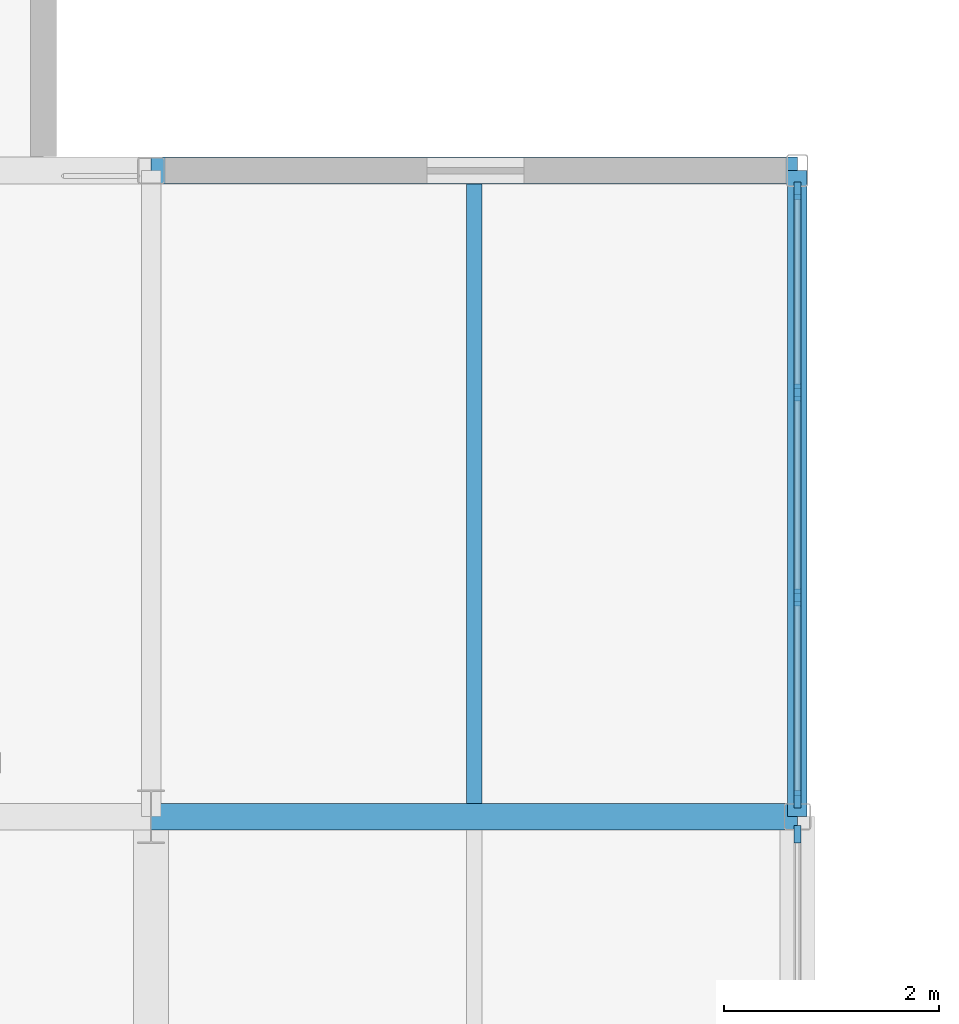
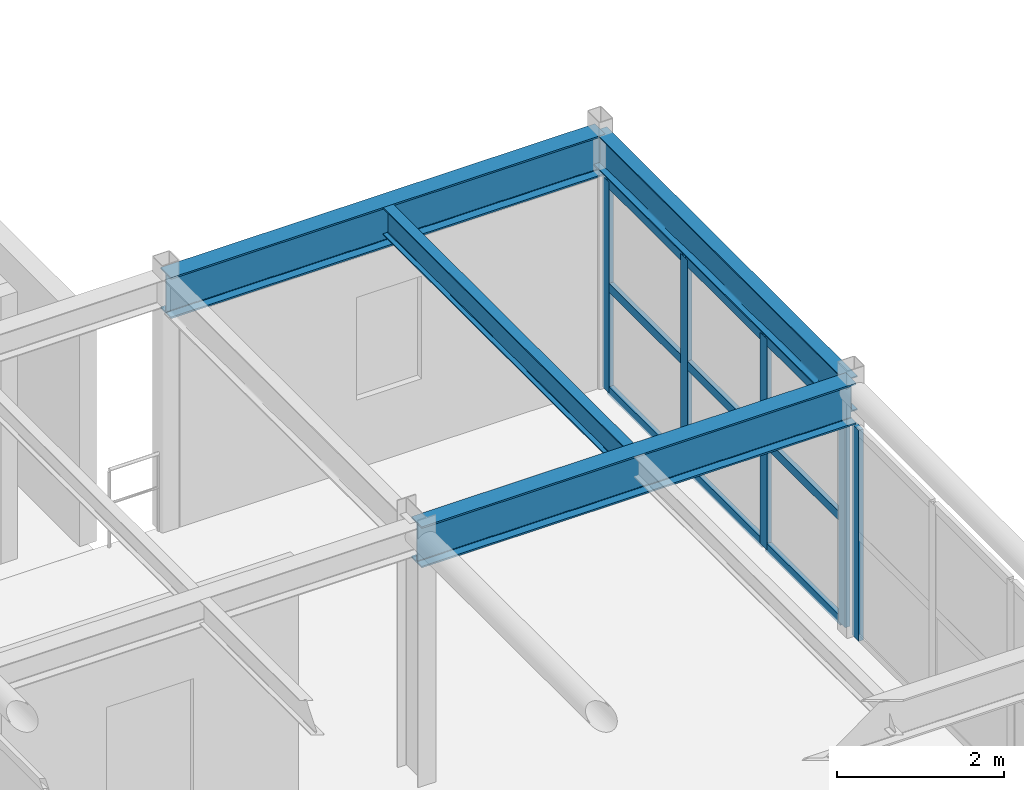
# One storey, part 15 of 63: 14 members, 4 beams, 2 elements without a shape of their own.
"""IFC4 building model written with IfcOpenShell, lengths in metres."""

from ifc_helpers import new_model, si_unit, direction, frame, origin, origin_2d, place, context, subcontext, project, spatial, rectangle, i_section, extrude, material, material_profile, profile_set, type_object, element, aggregate, save


model = new_model("IFC4")

# Units and contexts
model_context = context("Model", 3, precision=1e-05, world=origin(), true_north=direction((0.0, 1.0)))
body_context = subcontext(model_context, "Body", "Model", "MODEL_VIEW")
ifc_project = project(units=[si_unit("LENGTHUNIT", "METRE"), si_unit("AREAUNIT", "SQUARE_METRE"), si_unit("VOLUMEUNIT", "CUBIC_METRE"), si_unit("PLANEANGLEUNIT", "RADIAN"), si_unit("MASSUNIT", "GRAM", prefix="KILO")], contexts=[model_context])

# Site, building, storey
site_placement = place(None, origin())
site = spatial("IfcSite", under=ifc_project, at=site_placement, CompositionType="ELEMENT")
building_placement = place(site_placement, origin())
building = spatial("IfcBuilding", under=site, at=building_placement, Name="Varnakota Square Police Headquarters", CompositionType="ELEMENT")
storey_placement = place(building_placement, frame((0.0, 0.0, 22.199951171875)))
storey = spatial("IfcBuildingStorey", under=building, at=storey_placement, Name="L05", CompositionType="ELEMENT", Elevation=22.199951171875)

# Beams
ifc_material_1 = material(Name="Steel IS 2062 Grade 350", Category="steel")
ifc_material_profile_1 = material_profile(ifc_material_1, i_section(OverallWidth=0.139892578125, OverallDepth=0.39990234375, WebThickness=0.0087890625, FlangeThickness=0.01611328125, FilletRadius=0.013916015625, at=origin_2d()), Name="ISMB 400")
ifc_profile_set_1 = profile_set([ifc_material_profile_1], Name="Steel IS 2062 Grade 350")
beam_type_1 = type_object("IfcBeamType", Name="BM-ISMB400", PredefinedType="JOIST", material=ifc_profile_set_1)
beam_1_placement = place(storey_placement, frame((39.0, 57.123046875, 3.489990234375), z_axis=(0.0, 1.0, 0.0), x_axis=(-1.0, 0.0, 0.0)))
element("IfcBeam", 1, at=beam_1_placement, inside=storey, type_object=beam_type_1, Name="BMG-L05-3278", PredefinedType="JOIST", context=body_context, shape_type="SweptSolid", body=[
    extrude(i_section(OverallWidth=0.139892578125, OverallDepth=0.39990234375, WebThickness=0.0087890625, FlangeThickness=0.01611328125, FilletRadius=0.013916015625, at=origin_2d()), origin(), (0.0, 0.0, 1.0), 5.75390625),
])
ifc_material_profile_2 = material_profile(ifc_material_1, i_section(OverallWidth=0.179931640625, OverallDepth=0.5, WebThickness=0.01025390625, FlangeThickness=0.01708984375, FilletRadius=0.01708984375, at=origin_2d()), Name="ISMB 500")
ifc_profile_set_2 = profile_set([ifc_material_profile_2], Name="Steel IS 2062 Grade 350")
beam_type_2 = type_object("IfcBeamType", Name="BM-ISMB500", PredefinedType="BEAM", material=ifc_profile_set_2)
beam_2_placement = place(storey_placement, frame((42.0, 57.0, 3.43994140625), z_axis=(0.0, 1.0, 0.0), x_axis=(-1.0, 0.0, 0.0)))
element("IfcBeam", 2, at=beam_2_placement, inside=storey, type_object=beam_type_2, Name="BMG-L05-3205", PredefinedType="BEAM", context=body_context, shape_type="SweptSolid", body=[
    extrude(i_section(OverallWidth=0.179931640625, OverallDepth=0.5, WebThickness=0.01025390625, FlangeThickness=0.01708984375, FilletRadius=0.01708984375, at=origin_2d()), origin(), (0.0, 0.0, 1.0), 6.0),
])
ifc_material_profile_3 = material_profile(ifc_material_1, i_section(OverallWidth=0.25, OverallDepth=0.60009765625, WebThickness=0.01171875, FlangeThickness=0.023681640625, FilletRadius=0.01708984375, at=origin_2d()), Name="ISWB 600")
ifc_profile_set_3 = profile_set([ifc_material_profile_3], Name="Steel IS 2062 Grade 350")
beam_type_3 = type_object("IfcBeamType", Name="BM-ISWB600", PredefinedType="BEAM", material=ifc_profile_set_3)
for number, where, z_axis, x_axis, name in (
    (3, (36.0, 57.0, 3.39013671875), (1.0, 0.0, 0.0), (0.0, 1.0, 0.0), "BMG-L05-3153"),
    (4, (36.0, 63.0, 3.39013671875), (1.0, 0.0, 0.0), (0.0, 1.0, 0.0), "BMG-L05-3159"),
):
    element("IfcBeam", number, at=place(storey_placement, frame(where, z_axis=z_axis, x_axis=x_axis)), inside=storey, type_object=beam_type_3, Name=name, PredefinedType="BEAM", context=body_context, shape_type="SweptSolid", body=[
        extrude(i_section(OverallWidth=0.25, OverallDepth=0.60009765625, WebThickness=0.01171875, FlangeThickness=0.023681640625, FilletRadius=0.01708984375, at=origin_2d()), origin(), (0.0, 0.0, 1.0), 6.0),
    ])

# Curtain wall, member
ifc_material_2 = material(Name="Anodised Aluminium Framing", Category="aluminium")
curtain_wall_type = type_object("IfcCurtainWallType", Name="CW-SYS-D", PredefinedType="NOTDEFINED", material=ifc_material_2)
curtain_wall_1_placement = place(storey_placement, origin())
curtain_wall_1 = element("IfcCurtainWall", 5, at=curtain_wall_1_placement, inside=storey, type_object=curtain_wall_type, Name="Unitised curtain wall CWG-L05-196", PredefinedType="NOTDEFINED")
ifc_material_3 = material(Name="Anodised Aluminium 6063-T6", Category="aluminium")
ifc_material_profile_4 = material_profile(ifc_material_3, rectangle(XDim=0.06494140625, YDim=0.159912109375, at=origin_2d()), Name="ALU MULLION 65x160")
ifc_profile_set_4 = profile_set([ifc_material_profile_4], Name="Anodised Aluminium 6063-T6")
member_type_1 = type_object("IfcMemberType", Name="CWM-150", PredefinedType="MULLION", material=ifc_profile_set_4)
member_1_placement = place(storey_placement, frame((42.0, 56.83740234375, 0.0), z_axis=(0.0, 0.0, 1.0), x_axis=(-1.0, 0.0, 0.0)))
member_1 = element("IfcMember", 6, at=member_1_placement, type_object=member_type_1, Name="CWG-L05-196 mullion 4", PredefinedType="MULLION", context=body_context, shape_type="SweptSolid", body=[
    extrude(rectangle(XDim=0.06494140625, YDim=0.159912109375, at=origin_2d()), origin(), (0.0, 0.0, 1.0), 3.080078125),
])
aggregate(curtain_wall_1, [member_1])

# Curtain wall, members
curtain_wall_2_placement = place(storey_placement, origin())
curtain_wall_2 = element("IfcCurtainWall", 7, at=curtain_wall_2_placement, inside=storey, type_object=curtain_wall_type, Name="Unitised curtain wall CWG-L05-197", PredefinedType="NOTDEFINED")
member_2_placement = place(storey_placement, frame((42.0, 57.16259765625, 0.0), z_axis=(0.0, 0.0, 1.0), x_axis=(-1.0, 0.0, 0.0)))
member_2 = element("IfcMember", 8, at=member_2_placement, type_object=member_type_1, Name="CWG-L05-197 mullion 1", PredefinedType="MULLION", context=body_context, shape_type="SweptSolid", body=[
    extrude(rectangle(XDim=0.06494140625, YDim=0.159912109375, at=origin_2d()), origin(), (0.0, 0.0, 1.0), 3.080078125),
])
member_3_placement = place(storey_placement, frame((42.0, 59.034912109375, 0.0), z_axis=(0.0, 0.0, 1.0), x_axis=(-1.0, 0.0, 0.0)))
member_3 = element("IfcMember", 9, at=member_3_placement, type_object=member_type_1, Name="CWG-L05-197 mullion 2", PredefinedType="MULLION", context=body_context, shape_type="SweptSolid", body=[
    extrude(rectangle(XDim=0.06494140625, YDim=0.159912109375, at=origin_2d()), origin(), (0.0, 0.0, 1.0), 3.080078125),
])
member_4_placement = place(storey_placement, frame((42.0, 60.93994140625, 0.0), z_axis=(0.0, 0.0, 1.0), x_axis=(-1.0, 0.0, 0.0)))
member_4 = element("IfcMember", 10, at=member_4_placement, type_object=member_type_1, Name="CWG-L05-197 mullion 3", PredefinedType="MULLION", context=body_context, shape_type="SweptSolid", body=[
    extrude(rectangle(XDim=0.06494140625, YDim=0.159912109375, at=origin_2d()), origin(), (0.0, 0.0, 1.0), 3.080078125),
])
member_5_placement = place(storey_placement, frame((42.0, 62.8125, 0.0), z_axis=(0.0, 0.0, 1.0), x_axis=(-1.0, 0.0, 0.0)))
member_5 = element("IfcMember", 11, at=member_5_placement, type_object=member_type_1, Name="CWG-L05-197 mullion 4", PredefinedType="MULLION", context=body_context, shape_type="SweptSolid", body=[
    extrude(rectangle(XDim=0.06494140625, YDim=0.159912109375, at=origin_2d()), origin(), (0.0, 0.0, 1.0), 3.080078125),
])
ifc_material_profile_5 = material_profile(ifc_material_3, rectangle(XDim=0.06494140625, YDim=0.1298828125, at=origin_2d()), Name="ALU TRANSOM 65x130")
ifc_profile_set_5 = profile_set([ifc_material_profile_5], Name="Anodised Aluminium 6063-T6")
member_type_2 = type_object("IfcMemberType", Name="CWT-120", PredefinedType="USERDEFINED", material=ifc_profile_set_5)
member_6_placement = place(storey_placement, frame((42.0, 57.195068359375, 0.032470703125), z_axis=(0.0, 1.0, 0.0), x_axis=(-1.0, 0.0, 0.0)))
member_6 = element("IfcMember", 12, at=member_6_placement, type_object=member_type_2, Name="CWG-L05-197 transom 1.1", ObjectType="TRANSOM", PredefinedType="USERDEFINED", context=body_context, shape_type="SweptSolid", body=[
    extrude(rectangle(XDim=0.06494140625, YDim=0.1298828125, at=origin_2d()), origin(), (0.0, 0.0, 1.0), 1.807373046875),
])
member_7_placement = place(storey_placement, frame((42.0, 57.195068359375, 1.5400390625), z_axis=(0.0, 1.0, 0.0), x_axis=(-1.0, 0.0, 0.0)))
member_7 = element("IfcMember", 13, at=member_7_placement, type_object=member_type_2, Name="CWG-L05-197 transom 1.2", ObjectType="TRANSOM", PredefinedType="USERDEFINED", context=body_context, shape_type="SweptSolid", body=[
    extrude(rectangle(XDim=0.06494140625, YDim=0.1298828125, at=origin_2d()), origin(), (0.0, 0.0, 1.0), 1.807373046875),
])
member_8_placement = place(storey_placement, frame((42.0, 57.195068359375, 3.047607421875), z_axis=(0.0, 1.0, 0.0), x_axis=(-1.0, 0.0, 0.0)))
member_8 = element("IfcMember", 14, at=member_8_placement, type_object=member_type_2, Name="CWG-L05-197 transom 1.3", ObjectType="TRANSOM", PredefinedType="USERDEFINED", context=body_context, shape_type="SweptSolid", body=[
    extrude(rectangle(XDim=0.06494140625, YDim=0.1298828125, at=origin_2d()), origin(), (0.0, 0.0, 1.0), 1.807373046875),
])
member_9_placement = place(storey_placement, frame((42.0, 59.0673828125, 0.032470703125), z_axis=(0.0, 1.0, 0.0), x_axis=(-1.0, 0.0, 0.0)))
member_9 = element("IfcMember", 15, at=member_9_placement, type_object=member_type_2, Name="CWG-L05-197 transom 2.1", ObjectType="TRANSOM", PredefinedType="USERDEFINED", context=body_context, shape_type="SweptSolid", body=[
    extrude(rectangle(XDim=0.06494140625, YDim=0.1298828125, at=origin_2d()), origin(), (0.0, 0.0, 1.0), 1.840087890625),
])
member_10_placement = place(storey_placement, frame((42.0, 59.0673828125, 1.5400390625), z_axis=(0.0, 1.0, 0.0), x_axis=(-1.0, 0.0, 0.0)))
member_10 = element("IfcMember", 16, at=member_10_placement, type_object=member_type_2, Name="CWG-L05-197 transom 2.2", ObjectType="TRANSOM", PredefinedType="USERDEFINED", context=body_context, shape_type="SweptSolid", body=[
    extrude(rectangle(XDim=0.06494140625, YDim=0.1298828125, at=origin_2d()), origin(), (0.0, 0.0, 1.0), 1.840087890625),
])
member_11_placement = place(storey_placement, frame((42.0, 59.0673828125, 3.047607421875), z_axis=(0.0, 1.0, 0.0), x_axis=(-1.0, 0.0, 0.0)))
member_11 = element("IfcMember", 17, at=member_11_placement, type_object=member_type_2, Name="CWG-L05-197 transom 2.3", ObjectType="TRANSOM", PredefinedType="USERDEFINED", context=body_context, shape_type="SweptSolid", body=[
    extrude(rectangle(XDim=0.06494140625, YDim=0.1298828125, at=origin_2d()), origin(), (0.0, 0.0, 1.0), 1.840087890625),
])
member_12_placement = place(storey_placement, frame((42.0, 60.972412109375, 0.032470703125), z_axis=(0.0, 1.0, 0.0), x_axis=(-1.0, 0.0, 0.0)))
member_12 = element("IfcMember", 18, at=member_12_placement, type_object=member_type_2, Name="CWG-L05-197 transom 3.1", ObjectType="TRANSOM", PredefinedType="USERDEFINED", context=body_context, shape_type="SweptSolid", body=[
    extrude(rectangle(XDim=0.06494140625, YDim=0.1298828125, at=origin_2d()), origin(), (0.0, 0.0, 1.0), 1.8076171875),
])
member_13_placement = place(storey_placement, frame((42.0, 60.972412109375, 1.5400390625), z_axis=(0.0, 1.0, 0.0), x_axis=(-1.0, 0.0, 0.0)))
member_13 = element("IfcMember", 19, at=member_13_placement, type_object=member_type_2, Name="CWG-L05-197 transom 3.2", ObjectType="TRANSOM", PredefinedType="USERDEFINED", context=body_context, shape_type="SweptSolid", body=[
    extrude(rectangle(XDim=0.06494140625, YDim=0.1298828125, at=origin_2d()), origin(), (0.0, 0.0, 1.0), 1.8076171875),
])
member_14_placement = place(storey_placement, frame((42.0, 60.972412109375, 3.047607421875), z_axis=(0.0, 1.0, 0.0), x_axis=(-1.0, 0.0, 0.0)))
member_14 = element("IfcMember", 20, at=member_14_placement, type_object=member_type_2, Name="CWG-L05-197 transom 3.3", ObjectType="TRANSOM", PredefinedType="USERDEFINED", context=body_context, shape_type="SweptSolid", body=[
    extrude(rectangle(XDim=0.06494140625, YDim=0.1298828125, at=origin_2d()), origin(), (0.0, 0.0, 1.0), 1.8076171875),
])
aggregate(curtain_wall_2, [member_2, member_3, member_4, member_5, member_6, member_7, member_8, member_9, member_10, member_11, member_12, member_13, member_14])

save(model, "model.ifc")
